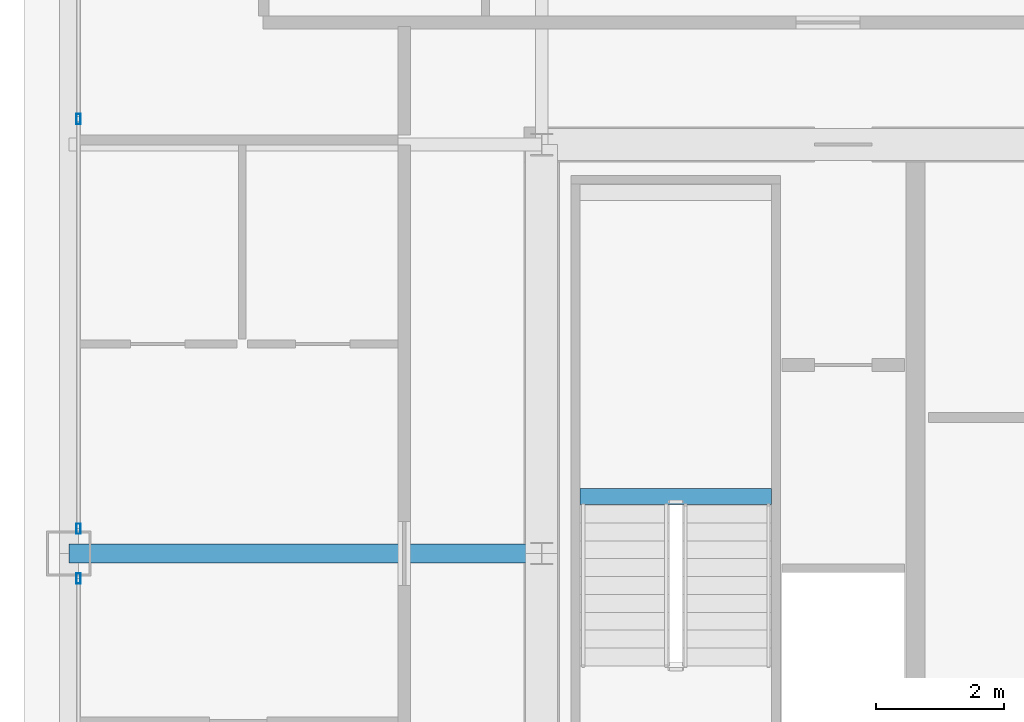
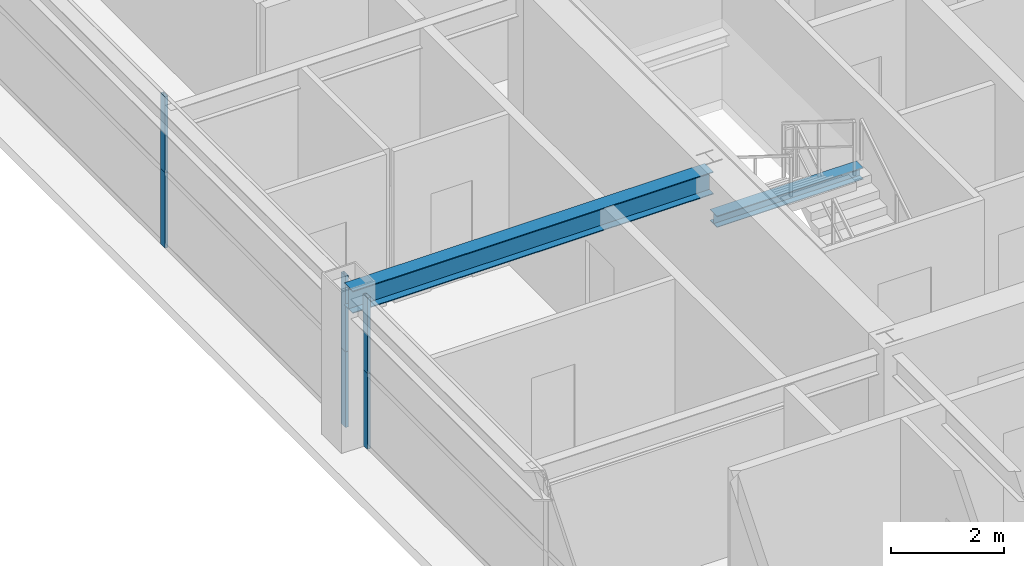
# One storey, part 14 of 37: 6 members, 2 beams, 2 elements without a shape of their own.
"""IFC4 building model written with IfcOpenShell, lengths in metres."""

import ifcopenshell
import ifcopenshell.guid

model = None  # the IFC model being written
_history = None  # IfcOwnerHistory: only IFC2X3 demands one
_inside = {}  # id of a spatial element -> (the spatial element, [elements in it])
_under = {}  # id of a project, library or spatial element -> (it, [spatial elements below it])
_declared = {}  # id of a project -> (the project, [libraries it declares])
_typed = {}  # id of a type object -> (the type object, [elements of that type])
_made_of = {}  # id of a material, layer set ... -> (it, [elements and type objects made of it])


def new_model(schema):
    """Start an empty IFC model of exactly this schema.

    Asked for "IFC4X3", IfcOpenShell would pick the latest addendum, in which some entities
    have other attributes; the version numbers below select the first issue.
    IFC2X3 requires an IfcOwnerHistory on every rooted entity: one is made here for all.
    """
    global model, _history
    if schema == "IFC4X3":
        model = ifcopenshell.file(schema_version=(4, 3, 0, 0))
    else:
        model = ifcopenshell.file(schema=schema)
    _inside.clear()
    _under.clear()
    _declared.clear()
    _typed.clear()
    _made_of.clear()
    _history = None
    if model.schema == "IFC2X3":
        org = make("IfcOrganization", Name="unknown")
        user = make(
            "IfcPersonAndOrganization",
            ThePerson=make("IfcPerson", FamilyName="unknown"),
            TheOrganization=org,
        )
        app = make(
            "IfcApplication",
            ApplicationDeveloper=org,
            Version="unknown",
            ApplicationFullName="unknown",
            ApplicationIdentifier="unknown",
        )
        _history = make(
            "IfcOwnerHistory",
            OwningUser=user,
            OwningApplication=app,
            ChangeAction="ADDED",
            CreationDate=0,
        )
    return model


def make(cls, **values):
    """One entity of the class cls with the attributes given. An attribute that is None is left unset."""
    return model.create_entity(
        cls, **{name: value for name, value in values.items() if value is not None}
    )


def rooted(cls, **values):
    """An entity with a GlobalId (a new one), such as an element, a storey or a relation."""
    return make(cls, GlobalId=ifcopenshell.guid.new(), OwnerHistory=_history, **values)


def si_unit(unit_type, name, prefix=None):
    """IfcSIUnit, for example si_unit("LENGTHUNIT", "METRE", prefix="MILLI")."""
    return make("IfcSIUnit", UnitType=unit_type, Prefix=prefix, Name=name)


def assignment(units):
    """IfcUnitAssignment: the units of a project."""
    return None if units is None else make("IfcUnitAssignment", Units=units)


def point(xyz):
    """IfcCartesianPoint."""
    return None if xyz is None else make("IfcCartesianPoint", Coordinates=xyz)


def direction(xyz):
    """IfcDirection."""
    return None if xyz is None else make("IfcDirection", DirectionRatios=xyz)


def frame(location, z_axis=None, x_axis=None):
    """IfcAxis2Placement3D, a coordinate frame: its origin and axes. An axis left out is left unset."""
    return make(
        "IfcAxis2Placement3D",
        Location=point(location),
        Axis=direction(z_axis),
        RefDirection=direction(x_axis),
    )


def frame_2d(location, x_axis=None):
    """IfcAxis2Placement2D, a coordinate frame in the plane: its origin and x axis."""
    return make(
        "IfcAxis2Placement2D", Location=point(location), RefDirection=direction(x_axis)
    )


def origin():
    """The frame at (0, 0, 0) with its axes left unset."""
    return frame((0.0, 0.0, 0.0))


def origin_2d():
    """The frame at (0, 0) in the plane with its x axis left unset."""
    return frame_2d((0.0, 0.0))


def place(relative_to, where):
    """IfcLocalPlacement: puts the frame where relative to a parent placement (None: the world)."""
    return make(
        "IfcLocalPlacement", PlacementRelTo=relative_to, RelativePlacement=where
    )


def context(
    kind, dimensions, precision=None, world=None, true_north=None, identifier=None
):
    """IfcGeometricRepresentationContext, for example the 3D "Model" context."""
    return make(
        "IfcGeometricRepresentationContext",
        ContextIdentifier=identifier,
        ContextType=kind,
        CoordinateSpaceDimension=dimensions,
        Precision=precision,
        WorldCoordinateSystem=world,
        TrueNorth=true_north,
    )


def subcontext(parent, identifier, kind, view, scale=None):
    """IfcGeometricRepresentationSubContext, for example "Body" below "Model"."""
    return make(
        "IfcGeometricRepresentationSubContext",
        ContextIdentifier=identifier,
        ContextType=kind,
        ParentContext=parent,
        TargetScale=scale,
        TargetView=view,
    )


def project(units=None, contexts=None):
    """IfcProject with its units and contexts."""
    return rooted(
        "IfcProject",
        Name="project",
        RepresentationContexts=contexts,
        UnitsInContext=assignment(units),
    )


def spatial(cls, under=None, at=None, **own):
    """A site, building, storey or space (cls), placed at a placement, below another one or the project."""
    s = rooted(cls, ObjectPlacement=at, **own)
    if under is not None:
        _under.setdefault(under.id(), (under, []))[1].append(s)
    return s


def profile(cls, at=None, kind="AREA", **sizes):
    """A parametric profile (cls). Its sizes go by their IFC names, for example OverallWidth=200.0."""
    return make(cls, ProfileType=kind, Position=at, **sizes)


def hollow_rectangle(**sizes):
    """IfcRectangleHollowProfileDef."""
    return profile("IfcRectangleHollowProfileDef", **sizes)


def i_section(**sizes):
    """IfcIShapeProfileDef."""
    return profile("IfcIShapeProfileDef", **sizes)


def extrude(swept, where, along, depth):
    """IfcExtrudedAreaSolid: the profile swept, set in the frame where, extruded along a direction by depth."""
    return make(
        "IfcExtrudedAreaSolid",
        SweptArea=swept,
        Position=where,
        ExtrudedDirection=direction(along),
        Depth=depth,
    )


def shape(context_of_items, identifier, shape_type, items):
    """IfcShapeRepresentation: the items that make up one representation, for example the "Body"."""
    return make(
        "IfcShapeRepresentation",
        ContextOfItems=context_of_items,
        RepresentationIdentifier=identifier,
        RepresentationType=shape_type,
        Items=items,
    )


def source(mapping_origin, context_of_items, identifier, shape_type, items):
    """IfcRepresentationMap: a shape defined once, which mapped items show again and again."""
    return make(
        "IfcRepresentationMap",
        MappingOrigin=mapping_origin,
        MappedRepresentation=shape(context_of_items, identifier, shape_type, items),
    )


def transform(
    local_origin,
    x_axis=None,
    y_axis=None,
    z_axis=None,
    scale=None,
    scale2=None,
    scale3=None,
    uniform=True,
):
    """IfcCartesianTransformationOperator3D, or its non-uniform kind. x_axis, y_axis, z_axis: its Axis1, 2, 3."""
    if uniform:
        return make(
            "IfcCartesianTransformationOperator3D",
            Axis1=direction(x_axis),
            Axis2=direction(y_axis),
            LocalOrigin=point(local_origin),
            Scale=scale,
            Axis3=direction(z_axis),
        )
    return make(
        "IfcCartesianTransformationOperator3DnonUniform",
        Axis1=direction(x_axis),
        Axis2=direction(y_axis),
        LocalOrigin=point(local_origin),
        Scale=scale,
        Axis3=direction(z_axis),
        Scale2=scale2,
        Scale3=scale3,
    )


def mapped(mapping_source, mapping_target):
    """IfcMappedItem: shows the shape of a source again, moved by a transform."""
    return make(
        "IfcMappedItem", MappingSource=mapping_source, MappingTarget=mapping_target
    )


def material(Name=None, Category=None):
    """IfcMaterial."""
    return make("IfcMaterial", Name=Name, Category=Category)


def layer(
    of_material, thickness, ventilated=None, Name=None, Category=None, Priority=None
):
    """IfcMaterialLayer: one layer of a wall or slab, of a material (None: an air gap)."""
    return make(
        "IfcMaterialLayer",
        Material=of_material,
        LayerThickness=thickness,
        IsVentilated=ventilated,
        Name=Name,
        Category=Category,
        Priority=Priority,
    )


def layer_set(layers, Name=None):
    """IfcMaterialLayerSet."""
    return make("IfcMaterialLayerSet", MaterialLayers=layers, LayerSetName=Name)


def material_profile(
    of_material, cross_section, Name=None, Category=None, Priority=None
):
    """IfcMaterialProfile: a cross section and its material."""
    return make(
        "IfcMaterialProfile",
        Name=Name,
        Material=of_material,
        Profile=cross_section,
        Priority=Priority,
        Category=Category,
    )


def profile_set(profiles, Name=None, composite=None):
    """IfcMaterialProfileSet."""
    return make(
        "IfcMaterialProfileSet",
        Name=Name,
        MaterialProfiles=profiles,
        CompositeProfile=composite,
    )


def made_of(thing, what):
    """Note that an element or type object is made of a material, layer set ...; save() writes the relation."""
    if what is not None:
        _made_of.setdefault(what.id(), (what, []))[1].append(thing)
    return thing


def type_object(cls, material=None, **own):
    """A type object (cls), such as IfcWallType, which elements share."""
    return made_of(rooted(cls, **own), material)


def element(
    cls,
    number,
    at=None,
    inside=None,
    cuts=None,
    type_object=None,
    material=None,
    context=None,
    identifier="Body",
    shape_type=None,
    held_by="IfcProductDefinitionShape",
    body=None,
    shapes=None,
    **own,
):
    """One element of the class cls, such as IfcWall. Its Tag is "e" and its number.

    at: its placement. inside: the storey or other place that contains it. cuts: it is an
    opening in that element (IfcRelVoidsElement). A single representation is given by context,
    identifier, shape_type and body (its items); several are given by shapes. held_by: the class
    of the entity that holds the representations. save() writes the other relations.
    """
    e = rooted(cls, Tag="e%d" % number, ObjectPlacement=at, **own)
    if body is not None:
        shapes = [shape(context, identifier, shape_type, body)]
    if shapes is not None:
        e.Representation = make(held_by, Representations=shapes)
    if inside is not None:
        _inside.setdefault(inside.id(), (inside, []))[1].append(e)
    if cuts is not None:
        rooted(
            "IfcRelVoidsElement", RelatingBuildingElement=cuts, RelatedOpeningElement=e
        )
    if type_object is not None:
        _typed.setdefault(type_object.id(), (type_object, []))[1].append(e)
    return made_of(e, material)


def aggregate(whole, parts):
    """IfcRelAggregates: a whole, such as a stair, and the parts it consists of."""
    return rooted("IfcRelAggregates", RelatingObject=whole, RelatedObjects=parts)


def save(model, path):
    """Write the relations noted so far, then the file.

    IfcRelAggregates (storeys below a building ...), IfcRelContainedInSpatialStructure (elements
    in a storey), IfcRelDefinesByType, IfcRelAssociatesMaterial and IfcRelDeclares: one each for
    every whole, place, type object, material and project.
    """
    for whole, parts in _under.values():
        aggregate(whole, parts)
    for where, things in _inside.values():
        rooted(
            "IfcRelContainedInSpatialStructure",
            RelatedElements=things,
            RelatingStructure=where,
        )
    for kind, things in _typed.values():
        rooted("IfcRelDefinesByType", RelatedObjects=things, RelatingType=kind)
    for what, things in _made_of.values():
        rooted("IfcRelAssociatesMaterial", RelatedObjects=things, RelatingMaterial=what)
    for by, libraries in _declared.values():
        rooted("IfcRelDeclares", RelatingContext=by, RelatedDefinitions=libraries)
    model.write(path)


model = new_model("IFC4")

# Units and contexts
model_context = context("Model", 3, precision=1e-05, world=origin(), true_north=direction((0.0, 1.0)))
body_context = subcontext(model_context, "Body", "Model", "MODEL_VIEW")
ifc_project = project(units=[si_unit("LENGTHUNIT", "METRE"), si_unit("AREAUNIT", "SQUARE_METRE"), si_unit("VOLUMEUNIT", "CUBIC_METRE"), si_unit("PLANEANGLEUNIT", "RADIAN"), si_unit("MASSUNIT", "GRAM", prefix="KILO"), si_unit("THERMODYNAMICTEMPERATUREUNIT", "KELVIN"), si_unit("POWERUNIT", "WATT")], contexts=[model_context])

# Site, building, storey
site_placement = place(None, origin())
site = spatial("IfcSite", under=ifc_project, at=site_placement, CompositionType="ELEMENT")
building_placement = place(site_placement, origin())
building = spatial("IfcBuilding", under=site, at=building_placement, Name="Yuzanri Waterfront Tower", CompositionType="ELEMENT")
storey_placement = place(building_placement, frame((0.0, 0.0, 268.10009765625)))
storey = spatial("IfcBuildingStorey", under=building, at=storey_placement, Name="L71", CompositionType="ELEMENT", Elevation=268.10009765625)

# Beam
ifc_material_1 = material(Name="Steel Q355B", Category="steel")
ifc_material_profile_1 = material_profile(ifc_material_1, i_section(OverallWidth=0.300048828125, OverallDepth=0.488037109375, WebThickness=0.010986328125, FlangeThickness=0.01806640625, at=origin_2d()), Name="HM 488x300x11x18")
ifc_profile_set_1 = profile_set([ifc_material_profile_1], Name="Steel Q355B")
beam_type_1 = type_object("IfcBeamType", Name="Primary Floor Girder Q355B HM 488x300", PredefinedType="BEAM", material=ifc_profile_set_1)
shared_shape_1 = source(origin(), body_context, "Body", "SweptSolid", [
    extrude(i_section(OverallWidth=0.300048828125, OverallDepth=0.488037109375, WebThickness=0.010986328125, FlangeThickness=0.01806640625, at=origin_2d()), origin(), (0.0, 0.0, 1.0), 7.400146484375),
])
beam_1_placement = place(storey_placement, frame((23.800048828125, 25.800048828125, 3.035888671875), z_axis=(-1.0, 0.0, 0.0), x_axis=(0.0, -1.0, 0.0)))
element("IfcBeam", 1, at=beam_1_placement, inside=storey, type_object=beam_type_1, Name="L71 West Grid Girder", PredefinedType="BEAM", context=body_context, shape_type="MappedRepresentation", body=[
    mapped(shared_shape_1, transform((0.0, 0.0, 0.0), scale=1.0)),
])

# Curtain wall, members
ifc_material_2 = material(Name="Anodized Architectural Bronze", Category="metal")
ifc_layer = layer(ifc_material_2, 0.159912109375)
ifc_layer_set = layer_set([ifc_layer], Name="Anodized Architectural Bronze")
curtain_wall_type = type_object("IfcCurtainWallType", Name="Anodized Bronze Mid-Rise Residential Acoustic Unitized Curtain Wall 7200", PredefinedType="NOTDEFINED", material=ifc_layer_set)
curtain_wall_1_placement = place(storey_placement, origin())
curtain_wall_1 = element("IfcCurtainWall", 2, at=curtain_wall_1_placement, inside=storey, type_object=curtain_wall_type, Name="L71 Curtain Wall CW-L71-WL", PredefinedType="NOTDEFINED")
ifc_material_3 = material(Name="Anodized Architectural Bronze", Category="metal")
ifc_material_profile_2 = material_profile(ifc_material_3, hollow_rectangle(XDim=0.06494140625, YDim=0.159912109375, WallThickness=0.00341796875, at=origin_2d()), Name="CWM 65x160")
ifc_profile_set_2 = profile_set([ifc_material_profile_2], Name="Anodized Architectural Bronze")
member_type = type_object("IfcMemberType", Name="Anodized Bronze Upper-Zone Curtain-Wall Mullion 65x160", PredefinedType="MULLION", material=ifc_profile_set_2)
shared_shape_2 = source(origin(), body_context, "Body", "SweptSolid", [
    extrude(hollow_rectangle(XDim=0.06494140625, YDim=0.159912109375, WallThickness=0.00341796875, at=origin_2d()), origin(), (0.0, 0.0, 1.0), 1.637939453125),
])
member_1_placement = place(storey_placement, frame((16.550048828125, 25.409912109375, 0.0), z_axis=(0.0, 0.0, 1.0), x_axis=(1.0, 0.0, 0.0)))
member_1 = element("IfcMember", 3, at=member_1_placement, type_object=member_type, Name="CW-L71-WL Lower Mullion 02", PredefinedType="MULLION", context=body_context, shape_type="MappedRepresentation", body=[
    mapped(shared_shape_2, transform((0.0, 0.0, 0.0), scale=1.0)),
])
member_2_placement = place(storey_placement, frame((16.550048828125, 25.409912109375, 1.641845703125), z_axis=(0.0, 0.0, 1.0), x_axis=(1.0, 0.0, 0.0)))
member_2 = element("IfcMember", 4, at=member_2_placement, type_object=member_type, Name="CW-L71-WL Upper Mullion 02", PredefinedType="MULLION", context=body_context, shape_type="MappedRepresentation", body=[
    mapped(shared_shape_2, transform((0.0, 0.0, 0.0), scale=1.0)),
])
aggregate(curtain_wall_1, [member_1, member_2])

curtain_wall_2_placement = place(storey_placement, origin())
curtain_wall_2 = element("IfcCurtainWall", 5, at=curtain_wall_2_placement, inside=storey, type_object=curtain_wall_type, Name="L71 Curtain Wall CW-L71-WR", PredefinedType="NOTDEFINED")
member_3_placement = place(storey_placement, frame((16.550048828125, 26.18994140625, 0.0), z_axis=(0.0, 0.0, 1.0), x_axis=(1.0, 0.0, 0.0)))
member_3 = element("IfcMember", 6, at=member_3_placement, type_object=member_type, Name="CW-L71-WR Lower Mullion 00", PredefinedType="MULLION", context=body_context, shape_type="MappedRepresentation", body=[
    mapped(shared_shape_2, transform((0.0, 0.0, 0.0), scale=1.0)),
])
member_4_placement = place(storey_placement, frame((16.550048828125, 26.18994140625, 1.641845703125), z_axis=(0.0, 0.0, 1.0), x_axis=(1.0, 0.0, 0.0)))
member_4 = element("IfcMember", 7, at=member_4_placement, type_object=member_type, Name="CW-L71-WR Upper Mullion 00", PredefinedType="MULLION", context=body_context, shape_type="MappedRepresentation", body=[
    mapped(shared_shape_2, transform((0.0, 0.0, 0.0), scale=1.0)),
])
member_5_placement = place(storey_placement, frame((16.550048828125, 32.60009765625, 0.0), z_axis=(0.0, 0.0, 1.0), x_axis=(1.0, 0.0, 0.0)))
member_5 = element("IfcMember", 8, at=member_5_placement, type_object=member_type, Name="CW-L71-WR Lower Mullion 01", PredefinedType="MULLION", context=body_context, shape_type="MappedRepresentation", body=[
    mapped(shared_shape_2, transform((0.0, 0.0, 0.0), scale=1.0)),
])
member_6_placement = place(storey_placement, frame((16.550048828125, 32.60009765625, 1.641845703125), z_axis=(0.0, 0.0, 1.0), x_axis=(1.0, 0.0, 0.0)))
member_6 = element("IfcMember", 9, at=member_6_placement, type_object=member_type, Name="CW-L71-WR Upper Mullion 01", PredefinedType="MULLION", context=body_context, shape_type="MappedRepresentation", body=[
    mapped(shared_shape_2, transform((0.0, 0.0, 0.0), scale=1.0)),
])
aggregate(curtain_wall_2, [member_3, member_4, member_5, member_6])

# Beam
ifc_material_4 = material(Name="Steel Q355B", Category="steel")
ifc_material_profile_3 = material_profile(ifc_material_4, i_section(OverallWidth=0.25, OverallDepth=0.25, WebThickness=0.009033203125, FlangeThickness=0.013916015625, at=origin_2d()), Name="HW 250x250x9x14")
ifc_profile_set_3 = profile_set([ifc_material_profile_3], Name="Steel Q355B")
beam_type_2 = type_object("IfcBeamType", Name="Stair Landing Support Beam Q355B HW 250x250", PredefinedType="BEAM", material=ifc_profile_set_3)
shared_shape_3 = source(origin(), body_context, "Body", "SweptSolid", [
    extrude(i_section(OverallWidth=0.25, OverallDepth=0.25, WebThickness=0.009033203125, FlangeThickness=0.013916015625, at=origin_2d()), origin(), (0.0, 0.0, 1.0), 3.0),
])
beam_2_placement = place(storey_placement, frame((24.39990234375, 26.68994140625, 1.4248046875), z_axis=(1.0, 0.0, 0.0), x_axis=(0.0, 1.0, 0.0)))
element("IfcBeam", 10, at=beam_2_placement, inside=storey, type_object=beam_type_2, Name="L71 Stair Landing Support Beam ST-01-L71-L1-1", PredefinedType="BEAM", context=body_context, shape_type="MappedRepresentation", body=[
    mapped(shared_shape_3, transform((0.0, 0.0, 0.0), scale=1.0)),
])

save(model, "model.ifc")
